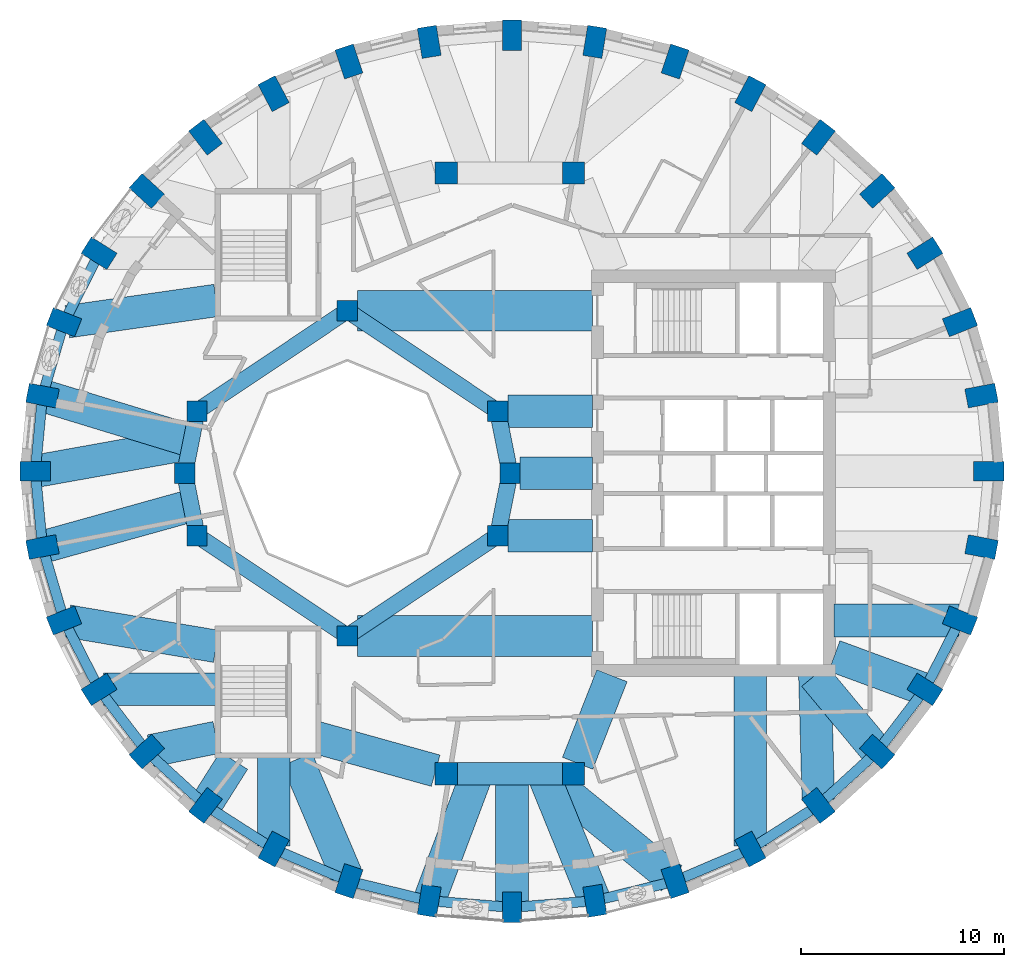
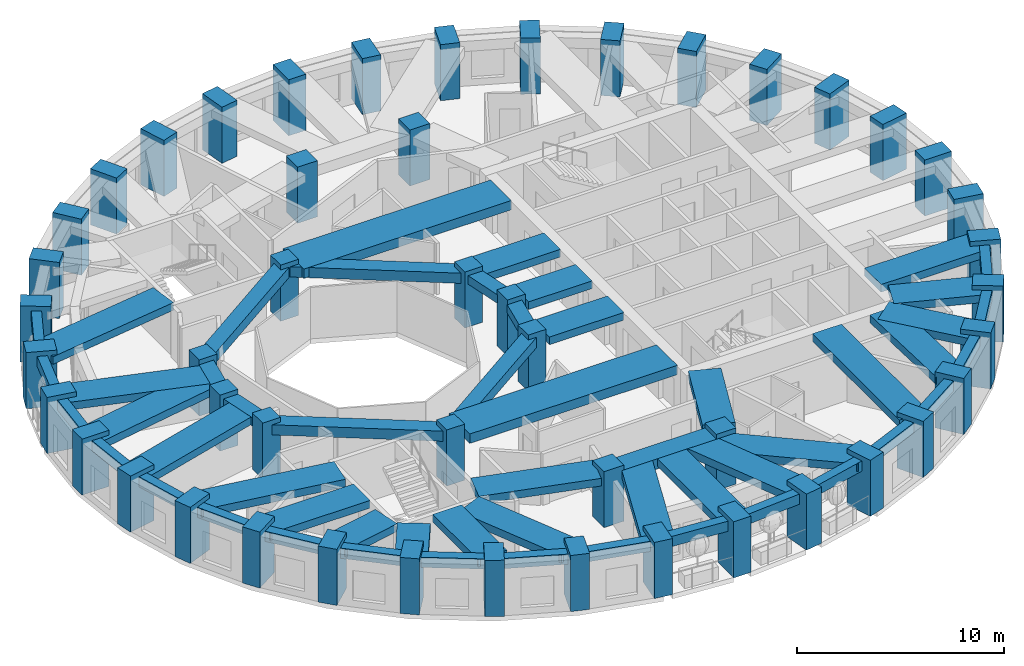
# One storey, part 1 of 11: 54 beams, 48 columns.
"""IFC4 building model written with IfcOpenShell, lengths in metres."""

from ifc_helpers import new_model, si_unit, direction, frame, origin, origin_2d, place, context, subcontext, project, spatial, rectangle, extrude, material, material_profile, profile_set, type_object, element, save


model = new_model("IFC4")

# Units and contexts
model_context = context("Model", 3, precision=1e-05, world=origin(), true_north=direction((0.0, 1.0)))
body_context = subcontext(model_context, "Body", "Model", "MODEL_VIEW")
ifc_project = project(units=[si_unit("LENGTHUNIT", "METRE"), si_unit("AREAUNIT", "SQUARE_METRE"), si_unit("VOLUMEUNIT", "CUBIC_METRE"), si_unit("PLANEANGLEUNIT", "RADIAN"), si_unit("MASSUNIT", "GRAM", prefix="KILO")], contexts=[model_context])

# Site, building, storey
site_placement = place(None, origin())
site = spatial("IfcSite", under=ifc_project, at=site_placement, CompositionType="ELEMENT")
building_placement = place(site_placement, origin())
building = spatial("IfcBuilding", under=site, at=building_placement, Name="Taillehof Tower", CompositionType="ELEMENT")
storey_placement = place(building_placement, frame((0.0, 0.0, 155.0)))
storey = spatial("IfcBuildingStorey", under=building, at=storey_placement, Name="L43", CompositionType="ELEMENT", Elevation=155.0)

# Columns
ifc_material_1 = material(Name="Concrete C50/60", Category="concrete")
ifc_material_profile_1 = material_profile(ifc_material_1, rectangle(XDim=1.0, YDim=1.0, at=origin_2d()), Name="RC 1000x1000")
ifc_profile_set_1 = profile_set([ifc_material_profile_1], Name="Concrete C50/60")
column_type_1 = type_object("IfcColumnType", Name="Atrium ring column C50/60 1000x1000", PredefinedType="COLUMN", material=ifc_profile_set_1)
for number, where, z_axis, x_axis, name in (
    (1, (0.0, 0.0, 0.0), (0.0, 0.0, 1.0), (1.0, 0.0, 0.0), "Column AC01"),
    (2, (-0.60888671875, 3.0615234375, 0.0), (0.0, 0.0, 1.0), (1.0, 0.0, 0.0), "Column AC02"),
    (3, (-8.0, 8.0, 0.0), (0.0, 0.0, 1.0), (1.0, 0.0, 0.0), "Column AC05"),
    (4, (-15.39111328125, 3.0615234375, 0.0), (0.0, 0.0, 1.0), (1.0, 0.0, 0.0), "Column AC08"),
    (5, (-16.0, 0.0, 0.0), (0.0, 0.0, 1.0), (1.0, 0.0, 0.0), "Column AC09"),
    (6, (-15.39111328125, -3.0615234375, 0.0), (0.0, 0.0, 1.0), (1.0, 0.0, 0.0), "Column AC10"),
    (7, (-8.0, -8.0, 0.0), (0.0, 0.0, 1.0), (1.0, 0.0, 0.0), "Column AC13"),
    (8, (-0.60888671875, -3.0615234375, 0.0), (0.0, 0.0, 1.0), (1.0, 0.0, 0.0), "Column AC16"),
):
    element("IfcColumn", number, at=place(storey_placement, frame(where, z_axis=z_axis, x_axis=x_axis)), inside=storey, type_object=column_type_1, Name=name, PredefinedType="COLUMN", context=body_context, shape_type="SweptSolid", body=[
        extrude(rectangle(XDim=1.0, YDim=1.0, at=origin_2d()), origin(), (0.0, 0.0, 1.0), 3.300048828125),
    ])
ifc_material_2 = material(Name="Concrete C50/60", Category="concrete")
ifc_material_profile_2 = material_profile(ifc_material_2, rectangle(XDim=1.10009765625, YDim=1.10009765625, at=origin_2d()), Name="RC 1100x1100")
ifc_profile_set_2 = profile_set([ifc_material_profile_2], Name="Concrete C50/60")
column_type_2 = type_object("IfcColumnType", Name="Mid-ring column C50/60 1100x1100", PredefinedType="COLUMN", material=ifc_profile_set_2)
for number, where, z_axis, x_axis, name in (
    (9, (3.125732421875, 14.772216796875, 0.0), (0.0, 0.0, 1.0), (1.0, 0.0, 0.0), "Column MC05"),
    (10, (-3.125732421875, 14.772216796875, 0.0), (0.0, 0.0, 1.0), (1.0, 0.0, 0.0), "Column MC06"),
    (11, (-3.125732421875, -14.772216796875, 0.0), (0.0, 0.0, 1.0), (1.0, 0.0, 0.0), "Column MC14"),
    (12, (3.125732421875, -14.772216796875, 0.0), (0.0, 0.0, 1.0), (1.0, 0.0, 0.0), "Column MC15"),
):
    element("IfcColumn", number, at=place(storey_placement, frame(where, z_axis=z_axis, x_axis=x_axis)), inside=storey, type_object=column_type_2, Name=name, PredefinedType="COLUMN", context=body_context, shape_type="SweptSolid", body=[
        extrude(rectangle(XDim=1.10009765625, YDim=1.10009765625, at=origin_2d()), origin(), (0.0, 0.0, 1.0), 3.300048828125),
    ])
ifc_material_3 = material(Name="Concrete C60/75", Category="concrete")
ifc_material_profile_3 = material_profile(ifc_material_3, rectangle(XDim=1.5, YDim=0.949951171875, at=origin_2d()), Name="RC 1500x950")
ifc_profile_set_3 = profile_set([ifc_material_profile_3], Name="Concrete C60/75")
column_type_3 = type_object("IfcColumnType", Name="Ring column C60/75 1500x950", PredefinedType="COLUMN", material=ifc_profile_set_3)
for number, where, z_axis, x_axis, name in (
    (13, (23.550048828125, 0.10009765625, 0.0), (0.0, 0.0, 1.0), (1.0, 0.0, 0.0), "Ring column RC01"),
    (14, (23.19384765625, 3.82470703125, 0.0), (0.0, 0.0, 1.0), (0.98202380309, 0.188757119508, 0.0), "Ring column RC02"),
    (15, (22.1357421875, 7.436279296875, 0.0), (0.0, 0.0, 1.0), (0.929511471762, 0.368793199317, 0.0), "Ring column RC03"),
    (16, (20.408203125, 10.824951171875, 0.0), (0.0, 0.0, 1.0), (0.846334224225, 0.532652213837, 0.0), "Ring column RC04"),
    (17, (18.063720703125, 13.8876953125, 0.0), (0.0, 0.0, 1.0), (0.7378786352, 0.674933418727, 0.0), "Ring column RC05"),
    (18, (15.17333984375, 16.53173828125, 0.0), (0.0, 0.0, 1.0), (0.609970500644, 0.792424121506, 0.0), "Ring column RC06"),
    (19, (11.824951171875, 18.67626953125, 0.0), (0.0, 0.0, 1.0), (0.468042101717, 0.883706167807, 0.0), "Ring column RC07"),
    (20, (8.120361328125, 20.25634765625, 0.0), (0.0, 0.0, 1.0), (0.316702950283, 0.948524771043, 0.0), "Ring column RC08"),
    (21, (4.172119140625, 21.22412109375, 0.0), (0.0, 0.0, 1.0), (0.159679090777, 0.987168976401, 0.0), "Ring column RC09"),
    (22, (0.10009765625, 21.550048828125, 0.0), (0.0, 0.0, 1.0), (0.0, 1.0, 0.0), "Ring column RC10"),
    (23, (-3.97216796875, 21.22412109375, 0.0), (0.0, 0.0, 1.0), (-0.159679090777, 0.987168976401, 0.0), "Ring column RC11"),
    (24, (-7.92041015625, 20.25634765625, 0.0), (0.0, 0.0, 1.0), (-0.316702950283, 0.948524771043, 0.0), "Ring column RC12"),
    (25, (-11.625, 18.67626953125, 0.0), (0.0, 0.0, 1.0), (-0.468042101717, 0.883706167807, 0.0), "Ring column RC13"),
    (26, (-14.973388671875, 16.53173828125, 0.0), (0.0, 0.0, 1.0), (-0.609970500644, 0.792424121506, 0.0), "Ring column RC14"),
    (27, (-17.86376953125, 13.8876953125, 0.0), (0.0, 0.0, 1.0), (-0.7378786352, 0.674933418727, 0.0), "Ring column RC15"),
    (28, (-20.208251953125, 10.824951171875, 0.0), (0.0, 0.0, 1.0), (-0.846334224225, 0.532652213837, 0.0), "Ring column RC16"),
    (29, (-21.935791015625, 7.436279296875, 0.0), (0.0, 0.0, 1.0), (-0.929511471762, 0.368793199317, 0.0), "Ring column RC17"),
    (30, (-22.99365234375, 3.82470703125, 0.0), (0.0, 0.0, 1.0), (-0.98202380309, 0.188757119508, 0.0), "Ring column RC18"),
    (31, (-23.35009765625, 0.10009765625, 0.0), (0.0, 0.0, 1.0), (-1.0, 0.0, 0.0), "Ring column RC19"),
    (32, (-22.99365234375, -3.624755859375, 0.0), (0.0, 0.0, 1.0), (-0.98202380309, -0.188757119508, 0.0), "Ring column RC20"),
    (33, (-21.935791015625, -7.236328125, 0.0), (0.0, 0.0, 1.0), (-0.929511471762, -0.368793199317, 0.0), "Ring column RC21"),
    (34, (-20.208251953125, -10.625, 0.0), (0.0, 0.0, 1.0), (-0.846334224225, -0.532652213837, 0.0), "Ring column RC22"),
    (35, (-17.86376953125, -13.687744140625, 0.0), (0.0, 0.0, 1.0), (-0.7378786352, -0.674933418727, 0.0), "Ring column RC23"),
    (36, (-14.973388671875, -16.33154296875, 0.0), (0.0, 0.0, 1.0), (-0.609970500644, -0.792424121506, 0.0), "Ring column RC24"),
    (37, (-11.625, -18.476318359375, 0.0), (0.0, 0.0, 1.0), (-0.468042101717, -0.883706167807, 0.0), "Ring column RC25"),
    (38, (-7.92041015625, -20.056396484375, 0.0), (0.0, 0.0, 1.0), (-0.316702950283, -0.948524771043, 0.0), "Ring column RC26"),
    (39, (-3.97216796875, -21.024169921875, 0.0), (0.0, 0.0, 1.0), (-0.159679090777, -0.987168976401, 0.0), "Ring column RC27"),
    (40, (0.10009765625, -21.35009765625, 0.0), (0.0, 0.0, 1.0), (0.0, -1.0, 0.0), "Ring column RC28"),
    (41, (4.172119140625, -21.024169921875, 0.0), (0.0, 0.0, 1.0), (0.159679090777, -0.987168976401, 0.0), "Ring column RC29"),
    (42, (8.120361328125, -20.056396484375, 0.0), (0.0, 0.0, 1.0), (0.316702950283, -0.948524771043, 0.0), "Ring column RC30"),
    (43, (11.824951171875, -18.476318359375, 0.0), (0.0, 0.0, 1.0), (0.468042101717, -0.883706167807, 0.0), "Ring column RC31"),
    (44, (15.17333984375, -16.33154296875, 0.0), (0.0, 0.0, 1.0), (0.609970500644, -0.792424121506, 0.0), "Ring column RC32"),
    (45, (18.063720703125, -13.687744140625, 0.0), (0.0, 0.0, 1.0), (0.7378786352, -0.674933418727, 0.0), "Ring column RC33"),
    (46, (20.408203125, -10.625, 0.0), (0.0, 0.0, 1.0), (0.846334224225, -0.532652213837, 0.0), "Ring column RC34"),
    (47, (22.1357421875, -7.236328125, 0.0), (0.0, 0.0, 1.0), (0.929511471762, -0.368793199317, 0.0), "Ring column RC35"),
    (48, (23.19384765625, -3.624755859375, 0.0), (0.0, 0.0, 1.0), (0.98202380309, -0.188757119508, 0.0), "Ring column RC36"),
):
    element("IfcColumn", number, at=place(storey_placement, frame(where, z_axis=z_axis, x_axis=x_axis)), inside=storey, type_object=column_type_3, Name=name, PredefinedType="COLUMN", context=body_context, shape_type="SweptSolid", body=[
        extrude(rectangle(XDim=1.5, YDim=0.949951171875, at=origin_2d()), origin(), (0.0, 0.0, 1.0), 3.300048828125),
    ])

# Beams
ifc_material_4 = material(Name="Concrete C50/60", Category="concrete")
ifc_material_profile_4 = material_profile(ifc_material_4, rectangle(XDim=0.800048828125, YDim=0.5, at=origin_2d()), Name="RC 800x500")
ifc_profile_set_4 = profile_set([ifc_material_profile_4], Name="Concrete C50/60")
beam_type_1 = type_object("IfcBeamType", Name="Atrium ring beam C50/60 800x500", PredefinedType="BEAM", material=ifc_profile_set_4)
for number, where, z_axis, x_axis, name in (
    (49, (0.0, 0.0, 2.77001953125), (-0.195063155143, 0.980790683839, 0.0), (-0.980790683839, -0.195063155143, 0.0), "Atrium ring beam AB01"),
    (50, (-15.39111328125, 3.0615234375, 2.77001953125), (-0.195063155143, -0.980790683839, 0.0), (0.980790683839, -0.195063155143, 0.0), "Atrium ring beam AB04"),
    (51, (-16.0, 0.0, 2.77001953125), (0.195063155143, -0.980790683839, 0.0), (0.980790683839, 0.195063155143, 0.0), "Atrium ring beam AB05"),
    (52, (-0.60888671875, -3.0615234375, 2.77001953125), (0.195063155143, 0.980790683839, 0.0), (-0.980790683839, 0.195063155143, 0.0), "Atrium ring beam AB08"),
):
    element("IfcBeam", number, at=place(storey_placement, frame(where, z_axis=z_axis, x_axis=x_axis)), inside=storey, type_object=beam_type_1, Name=name, PredefinedType="BEAM", context=body_context, shape_type="SweptSolid", body=[
        extrude(rectangle(XDim=0.800048828125, YDim=0.5, at=origin_2d()), origin(), (0.0, 0.0, 1.0), 3.12158203125),
    ])
ifc_material_5 = material(Name="Concrete C50/60", Category="concrete")
ifc_material_profile_5 = material_profile(ifc_material_5, rectangle(XDim=0.800048828125, YDim=0.60009765625, at=origin_2d()), Name="RC 800x600")
ifc_profile_set_5 = profile_set([ifc_material_profile_5], Name="Concrete C50/60")
beam_type_2 = type_object("IfcBeamType", Name="Atrium ring beam C50/60 800x600", PredefinedType="BEAM", material=ifc_profile_set_5)
for number, where, z_axis, x_axis, name in (
    (53, (-0.60888671875, 3.0615234375, 2.719970703125), (-0.831475195687, 0.555561876804, 0.0), (-0.555561876804, -0.831475195687, 0.0), "Atrium ring beam AB02"),
    (54, (-8.0, 8.0, 2.719970703125), (-0.831475195687, -0.555561876804, 0.0), (0.555561876804, -0.831475195687, 0.0), "Atrium ring beam AB03"),
    (55, (-15.39111328125, -3.0615234375, 2.719970703125), (0.831475195687, -0.555561876804, 0.0), (0.555561876804, 0.831475195687, 0.0), "Atrium ring beam AB06"),
    (56, (-8.0, -8.0, 2.719970703125), (0.831475195687, 0.555561876804, 0.0), (-0.555561876804, 0.831475195687, 0.0), "Atrium ring beam AB07"),
):
    element("IfcBeam", number, at=place(storey_placement, frame(where, z_axis=z_axis, x_axis=x_axis)), inside=storey, type_object=beam_type_2, Name=name, PredefinedType="BEAM", context=body_context, shape_type="SweptSolid", body=[
        extrude(rectangle(XDim=0.800048828125, YDim=0.60009765625, at=origin_2d()), origin(), (0.0, 0.0, 1.0), 8.88916015625),
    ])
ifc_material_6 = material(Name="Concrete C50/60", Category="concrete")
ifc_material_profile_6 = material_profile(ifc_material_6, rectangle(XDim=1.10009765625, YDim=0.60009765625, at=origin_2d()), Name="RC 1100x600")
ifc_profile_set_6 = profile_set([ifc_material_profile_6], Name="Concrete C50/60")
beam_type_3 = type_object("IfcBeamType", Name="Mid-ring beam C50/60 1100x600", PredefinedType="BEAM", material=ifc_profile_set_6)
beam_1_placement = place(storey_placement, frame((-3.125732421875, -14.772216796875, 2.719970703125), z_axis=(1.0, 0.0, 0.0), x_axis=(0.0, 1.0, 0.0)))
element("IfcBeam", 57, at=beam_1_placement, inside=storey, type_object=beam_type_3, Name="Mid-ring beam MB02", PredefinedType="BEAM", context=body_context, shape_type="SweptSolid", body=[
    extrude(rectangle(XDim=1.10009765625, YDim=0.60009765625, at=origin_2d()), origin(), (0.0, 0.0, 1.0), 6.25146484375),
])
ifc_material_7 = material(Name="Concrete C50/60", Category="concrete")
ifc_material_profile_7 = material_profile(ifc_material_7, rectangle(XDim=1.60009765625, YDim=0.449951171875, at=origin_2d()), Name="RC 1600x450")
ifc_profile_set_7 = profile_set([ifc_material_profile_7], Name="Concrete C50/60")
beam_type_4 = type_object("IfcBeamType", Name="Radial band beam C50/60 1600x450", PredefinedType="BEAM", material=ifc_profile_set_7)
beam_2_placement = place(storey_placement, frame((-21.766845703125, 7.46044921875, 2.794921875), z_axis=(0.989922388732, 0.141610961042, 0.0), x_axis=(-0.141610961042, 0.989922388732, 0.0)))
element("IfcBeam", 58, at=beam_2_placement, inside=storey, type_object=beam_type_4, Name="Radial band beam RB17", PredefinedType="BEAM", context=body_context, shape_type="SweptSolid", body=[
    extrude(rectangle(XDim=1.60009765625, YDim=0.449951171875, at=origin_2d()), origin(), (0.0, 0.0, 1.0), 7.390869140625),
])
beam_3_placement = place(storey_placement, frame((-22.99365234375, 3.82470703125, 2.794921875), z_axis=(0.956324293447, -0.292307792854, 0.0), x_axis=(0.292307792854, 0.956324293447, 0.0)))
element("IfcBeam", 59, at=beam_3_placement, inside=storey, type_object=beam_type_4, Name="Radial band beam RB18", PredefinedType="BEAM", context=body_context, shape_type="SweptSolid", body=[
    extrude(rectangle(XDim=1.60009765625, YDim=0.449951171875, at=origin_2d()), origin(), (0.0, 0.0, 1.0), 7.643798828125),
])
beam_4_placement = place(storey_placement, frame((-23.35009765625, 0.10009765625, 2.794921875), z_axis=(0.984286763882, 0.176577366745, 0.0), x_axis=(-0.176577366745, 0.984286763882, 0.0)))
element("IfcBeam", 60, at=beam_4_placement, inside=storey, type_object=beam_type_4, Name="Radial band beam RB19", PredefinedType="BEAM", context=body_context, shape_type="SweptSolid", body=[
    extrude(rectangle(XDim=1.60009765625, YDim=0.449951171875, at=origin_2d()), origin(), (0.0, 0.0, 1.0), 7.764892578125),
])
beam_5_placement = place(storey_placement, frame((-22.99365234375, -3.624755859375, 2.794921875), z_axis=(0.96338688135, 0.268115118639, 0.0), x_axis=(-0.268115118639, 0.96338688135, 0.0)))
element("IfcBeam", 61, at=beam_5_placement, inside=storey, type_object=beam_type_4, Name="Radial band beam RB20", PredefinedType="BEAM", context=body_context, shape_type="SweptSolid", body=[
    extrude(rectangle(XDim=1.60009765625, YDim=0.449951171875, at=origin_2d()), origin(), (0.0, 0.0, 1.0), 7.587890625),
])
beam_6_placement = place(storey_placement, frame((-21.744140625, -7.268798828125, 2.794921875), z_axis=(0.985864460395, -0.167544817079, 0.0), x_axis=(0.167544817079, 0.985864460395, 0.0)))
element("IfcBeam", 62, at=beam_6_placement, inside=storey, type_object=beam_type_4, Name="Radial band beam RB21", PredefinedType="BEAM", context=body_context, shape_type="SweptSolid", body=[
    extrude(rectangle(XDim=1.60009765625, YDim=0.449951171875, at=origin_2d()), origin(), (0.0, 0.0, 1.0), 7.39794921875),
])
beam_7_placement = place(storey_placement, frame((-19.9990234375, -10.625, 2.794921875), z_axis=(1.0, 0.0, 0.0), x_axis=(0.0, 1.0, 0.0)))
element("IfcBeam", 63, at=beam_7_placement, inside=storey, type_object=beam_type_4, Name="Radial band beam RB22", PredefinedType="BEAM", context=body_context, shape_type="SweptSolid", body=[
    extrude(rectangle(XDim=1.60009765625, YDim=0.449951171875, at=origin_2d()), origin(), (0.0, 0.0, 1.0), 5.549072265625),
])
beam_8_placement = place(storey_placement, frame((-17.678955078125, -13.64990234375, 2.794921875), z_axis=(0.979736748385, 0.200289550059, 0.0), x_axis=(-0.200289550059, 0.979736748385, 0.0)))
element("IfcBeam", 64, at=beam_8_placement, inside=storey, type_object=beam_type_4, Name="Radial band beam RB23", PredefinedType="BEAM", context=body_context, shape_type="SweptSolid", body=[
    extrude(rectangle(XDim=1.60009765625, YDim=0.449951171875, at=origin_2d()), origin(), (0.0, 0.0, 1.0), 3.294677734375),
])
beam_9_placement = place(storey_placement, frame((-14.973388671875, -16.33154296875, 2.794921875), z_axis=(0.534207803896, 0.845353193794, 0.0), x_axis=(-0.845353193794, 0.534207803896, 0.0)))
element("IfcBeam", 65, at=beam_9_placement, inside=storey, type_object=beam_type_4, Name="Radial band beam RB24", PredefinedType="BEAM", context=body_context, shape_type="SweptSolid", body=[
    extrude(rectangle(XDim=1.60009765625, YDim=0.449951171875, at=origin_2d()), origin(), (0.0, 0.0, 1.0), 2.608154296875),
])
beam_10_placement = place(storey_placement, frame((-11.625, -18.33642578125, 2.794921875), z_axis=(0.0, 1.0, 0.0), x_axis=(-1.0, 0.0, 0.0)))
element("IfcBeam", 66, at=beam_10_placement, inside=storey, type_object=beam_type_4, Name="Radial band beam RB25", PredefinedType="BEAM", context=body_context, shape_type="SweptSolid", body=[
    extrude(rectangle(XDim=1.60009765625, YDim=0.449951171875, at=origin_2d()), origin(), (0.0, 0.0, 1.0), 4.386474609375),
])
beam_11_placement = place(storey_placement, frame((-8.049072265625, -19.75390625, 2.794921875), z_axis=(-0.391879389257, 0.9200166, 0.0), x_axis=(-0.9200166, -0.391879389257, 0.0)))
element("IfcBeam", 67, at=beam_11_placement, inside=storey, type_object=beam_type_4, Name="Radial band beam RB26", PredefinedType="BEAM", context=body_context, shape_type="SweptSolid", body=[
    extrude(rectangle(XDim=1.60009765625, YDim=0.449951171875, at=origin_2d()), origin(), (0.0, 0.0, 1.0), 6.18505859375),
])
beam_12_placement = place(storey_placement, frame((-3.97216796875, -21.024169921875, 2.794921875), z_axis=(0.351379850477, 0.936232984186, 0.0), x_axis=(-0.936232984186, 0.351379850477, 0.0)))
element("IfcBeam", 68, at=beam_12_placement, inside=storey, type_object=beam_type_4, Name="Radial band beam RB27", PredefinedType="BEAM", context=body_context, shape_type="SweptSolid", body=[
    extrude(rectangle(XDim=1.60009765625, YDim=0.449951171875, at=origin_2d()), origin(), (0.0, 0.0, 1.0), 6.677734375),
])
beam_13_placement = place(storey_placement, frame((0.10009765625, -21.35009765625, 2.794921875), z_axis=(0.0, 1.0, 0.0), x_axis=(-1.0, 0.0, 0.0)))
element("IfcBeam", 69, at=beam_13_placement, inside=storey, type_object=beam_type_4, Name="Radial band beam RB28", PredefinedType="BEAM", context=body_context, shape_type="SweptSolid", body=[
    extrude(rectangle(XDim=1.60009765625, YDim=0.449951171875, at=origin_2d()), origin(), (0.0, 0.0, 1.0), 6.577880859375),
])
beam_14_placement = place(storey_placement, frame((4.172119140625, -21.024169921875, 2.794921875), z_axis=(-0.377207279938, 0.926128861424, 0.0), x_axis=(-0.926128861424, -0.377207279938, 0.0)))
element("IfcBeam", 70, at=beam_14_placement, inside=storey, type_object=beam_type_4, Name="Radial band beam RB29", PredefinedType="BEAM", context=body_context, shape_type="SweptSolid", body=[
    extrude(rectangle(XDim=1.60009765625, YDim=0.449951171875, at=origin_2d()), origin(), (0.0, 0.0, 1.0), 6.750732421875),
])
beam_15_placement = place(storey_placement, frame((7.95556640625, -19.92236328125, 2.794921875), z_axis=(-0.775687012842, 0.631117784655, 0.0), x_axis=(-0.631117784655, -0.775687012842, 0.0)))
element("IfcBeam", 71, at=beam_15_placement, inside=storey, type_object=beam_type_4, Name="Radial band beam RB30", PredefinedType="BEAM", context=body_context, shape_type="SweptSolid", body=[
    extrude(rectangle(XDim=1.60009765625, YDim=0.449951171875, at=origin_2d()), origin(), (0.0, 0.0, 1.0), 8.048583984375),
])
beam_16_placement = place(storey_placement, frame((11.824951171875, -18.33642578125, 2.794921875), z_axis=(0.0, 1.0, 0.0), x_axis=(-1.0, 0.0, 0.0)))
element("IfcBeam", 72, at=beam_16_placement, inside=storey, type_object=beam_type_4, Name="Radial band beam RB31", PredefinedType="BEAM", context=body_context, shape_type="SweptSolid", body=[
    extrude(rectangle(XDim=1.60009765625, YDim=0.449951171875, at=origin_2d()), origin(), (0.0, 0.0, 1.0), 8.386474609375),
])
beam_17_placement = place(storey_placement, frame((15.166015625, -16.060546875, 2.794921875), z_axis=(-0.027397917621, 0.999624606595, 0.0), x_axis=(-0.999624606595, -0.027397917621, 0.0)))
element("IfcBeam", 73, at=beam_17_placement, inside=storey, type_object=beam_type_4, Name="Radial band beam RB32", PredefinedType="BEAM", context=body_context, shape_type="SweptSolid", body=[
    extrude(rectangle(XDim=1.60009765625, YDim=0.449951171875, at=origin_2d()), origin(), (0.0, 0.0, 1.0), 6.11279296875),
])
beam_18_placement = place(storey_placement, frame((18.063720703125, -13.687744140625, 2.794921875), z_axis=(-0.639018777093, 0.769191135234, 0.0), x_axis=(-0.769191135234, -0.639018777093, 0.0)))
element("IfcBeam", 74, at=beam_18_placement, inside=storey, type_object=beam_type_4, Name="Radial band beam RB33", PredefinedType="BEAM", context=body_context, shape_type="SweptSolid", body=[
    extrude(rectangle(XDim=1.60009765625, YDim=0.449951171875, at=origin_2d()), origin(), (0.0, 0.0, 1.0), 4.844482421875),
])
beam_19_placement = place(storey_placement, frame((20.408203125, -10.625, 2.794921875), z_axis=(-0.938275503033, 0.345888826661, 0.0), x_axis=(-0.345888826661, -0.938275503033, 0.0)))
element("IfcBeam", 75, at=beam_19_placement, inside=storey, type_object=beam_type_4, Name="Radial band beam RB34", PredefinedType="BEAM", context=body_context, shape_type="SweptSolid", body=[
    extrude(rectangle(XDim=1.60009765625, YDim=0.449951171875, at=origin_2d()), origin(), (0.0, 0.0, 1.0), 4.748046875),
])
beam_20_placement = place(storey_placement, frame((22.08642578125, -7.236328125, 2.794921875), z_axis=(-1.0, 0.0, 0.0), x_axis=(0.0, -1.0, 0.0)))
element("IfcBeam", 76, at=beam_20_placement, inside=storey, type_object=beam_type_4, Name="Radial band beam RB35", PredefinedType="BEAM", context=body_context, shape_type="SweptSolid", body=[
    extrude(rectangle(XDim=1.60009765625, YDim=0.449951171875, at=origin_2d()), origin(), (0.0, 0.0, 1.0), 6.136474609375),
])
beam_21_placement = place(storey_placement, frame((0.5, 0.0, 2.794921875), z_axis=(1.0, 0.0, 0.0), x_axis=(0.0, 1.0, 0.0)))
element("IfcBeam", 77, at=beam_21_placement, inside=storey, type_object=beam_type_4, Name="Inner band beam IB101", PredefinedType="BEAM", context=body_context, shape_type="SweptSolid", body=[
    extrude(rectangle(XDim=1.60009765625, YDim=0.449951171875, at=origin_2d()), origin(), (0.0, 0.0, 1.0), 3.550048828125),
])
for number, where, z_axis, x_axis, name in (
    (78, (-0.10888671875, 3.0615234375, 2.794921875), (1.0, 0.0, 0.0), (0.0, 1.0, 0.0), "Inner band beam IB102"),
    (79, (-0.10888671875, -3.0615234375, 2.794921875), (1.0, 0.0, 0.0), (0.0, 1.0, 0.0), "Inner band beam IB116"),
):
    element("IfcBeam", number, at=place(storey_placement, frame(where, z_axis=z_axis, x_axis=x_axis)), inside=storey, type_object=beam_type_4, Name=name, PredefinedType="BEAM", context=body_context, shape_type="SweptSolid", body=[
        extrude(rectangle(XDim=1.60009765625, YDim=0.449951171875, at=origin_2d()), origin(), (0.0, 0.0, 1.0), 4.158935546875),
    ])
beam_22_placement = place(storey_placement, frame((-3.655517578125, -14.624755859375, 2.794921875), z_axis=(-0.963459369536, 0.267854518821, 0.0), x_axis=(-0.267854518821, -0.963459369536, 0.0)))
element("IfcBeam", 80, at=beam_22_placement, inside=storey, type_object=beam_type_4, Name="Inner band beam IB214", PredefinedType="BEAM", context=body_context, shape_type="SweptSolid", body=[
    extrude(rectangle(XDim=1.60009765625, YDim=0.449951171875, at=origin_2d()), origin(), (0.0, 0.0, 1.0), 6.096923828125),
])
beam_23_placement = place(storey_placement, frame((3.32666015625, -14.26025390625, 2.794921875), z_axis=(0.365588707223, 0.930776502255, 0.0), x_axis=(-0.930776502255, 0.365588707223, 0.0)))
element("IfcBeam", 81, at=beam_23_placement, inside=storey, type_object=beam_type_4, Name="Inner band beam IB215", PredefinedType="BEAM", context=body_context, shape_type="SweptSolid", body=[
    extrude(rectangle(XDim=1.60009765625, YDim=0.449951171875, at=origin_2d()), origin(), (0.0, 0.0, 1.0), 4.627197265625),
])
ifc_material_8 = material(Name="Concrete C50/60", Category="concrete")
ifc_material_profile_8 = material_profile(ifc_material_8, rectangle(XDim=2.0, YDim=0.550048828125, at=origin_2d()), Name="RC 2000x550")
ifc_profile_set_8 = profile_set([ifc_material_profile_8], Name="Concrete C50/60")
beam_type_5 = type_object("IfcBeamType", Name="Radial band beam C50/60 2000x550", PredefinedType="BEAM", material=ifc_profile_set_8)
for number, where, z_axis, x_axis, name in (
    (82, (-7.5, 8.0, 2.7451171875), (1.0, 0.0, 0.0), (0.0, 1.0, 0.0), "Inner band beam IB105"),
    (83, (-7.5, -8.0, 2.7451171875), (1.0, 0.0, 0.0), (0.0, 1.0, 0.0), "Inner band beam IB113"),
):
    element("IfcBeam", number, at=place(storey_placement, frame(where, z_axis=z_axis, x_axis=x_axis)), inside=storey, type_object=beam_type_5, Name=name, PredefinedType="BEAM", context=body_context, shape_type="SweptSolid", body=[
        extrude(rectangle(XDim=2.0, YDim=0.550048828125, at=origin_2d()), origin(), (0.0, 0.0, 1.0), 11.550048828125),
    ])
ifc_material_9 = material(Name="Concrete C50/60", Category="concrete")
ifc_material_profile_9 = material_profile(ifc_material_9, rectangle(XDim=0.5, YDim=0.60009765625, at=origin_2d()), Name="RC 500x600")
ifc_profile_set_9 = profile_set([ifc_material_profile_9], Name="Concrete C50/60")
beam_type_6 = type_object("IfcBeamType", Name="Spandrel beam C50/60 500x600", PredefinedType="SPANDREL", material=ifc_profile_set_9)
beam_24_placement = place(storey_placement, frame((-20.208251953125, 10.824951171875, 2.719970703125), z_axis=(-0.454183451696, -0.890908183937, 0.0), x_axis=(0.890908183937, -0.454183451696, 0.0)))
element("IfcBeam", 84, at=beam_24_placement, inside=storey, type_object=beam_type_6, Name="Spandrel beam SB16", PredefinedType="SPANDREL", context=body_context, shape_type="SweptSolid", body=[
    extrude(rectangle(XDim=0.5, YDim=0.60009765625, at=origin_2d()), origin(), (0.0, 0.0, 1.0), 3.8037109375),
])
beam_25_placement = place(storey_placement, frame((-21.935791015625, 7.436279296875, 2.719970703125), z_axis=(-0.281098416478, -0.959678946447, 0.0), x_axis=(0.959678946447, -0.281098416478, 0.0)))
element("IfcBeam", 85, at=beam_25_placement, inside=storey, type_object=beam_type_6, Name="Spandrel beam SB17", PredefinedType="SPANDREL", context=body_context, shape_type="SweptSolid", body=[
    extrude(rectangle(XDim=0.5, YDim=0.60009765625, at=origin_2d()), origin(), (0.0, 0.0, 1.0), 3.763427734375),
])
beam_26_placement = place(storey_placement, frame((-22.99365234375, 3.82470703125, 2.719970703125), z_axis=(-0.095264805358, -0.995451966124, 0.0), x_axis=(0.995451966124, -0.095264805358, 0.0)))
element("IfcBeam", 86, at=beam_26_placement, inside=storey, type_object=beam_type_6, Name="Spandrel beam SB18", PredefinedType="SPANDREL", context=body_context, shape_type="SweptSolid", body=[
    extrude(rectangle(XDim=0.5, YDim=0.60009765625, at=origin_2d()), origin(), (0.0, 0.0, 1.0), 3.74169921875),
])
beam_27_placement = place(storey_placement, frame((-23.35009765625, 0.10009765625, 2.719970703125), z_axis=(0.095258618013, -0.995452558234, 0.0), x_axis=(0.995452558234, 0.095258618013, 0.0)))
element("IfcBeam", 87, at=beam_27_placement, inside=storey, type_object=beam_type_6, Name="Spandrel beam SB19", PredefinedType="SPANDREL", context=body_context, shape_type="SweptSolid", body=[
    extrude(rectangle(XDim=0.5, YDim=0.60009765625, at=origin_2d()), origin(), (0.0, 0.0, 1.0), 3.741943359375),
])
beam_28_placement = place(storey_placement, frame((-22.99365234375, -3.624755859375, 2.719970703125), z_axis=(0.281098416478, -0.959678946447, 0.0), x_axis=(0.959678946447, 0.281098416478, 0.0)))
element("IfcBeam", 88, at=beam_28_placement, inside=storey, type_object=beam_type_6, Name="Spandrel beam SB20", PredefinedType="SPANDREL", context=body_context, shape_type="SweptSolid", body=[
    extrude(rectangle(XDim=0.5, YDim=0.60009765625, at=origin_2d()), origin(), (0.0, 0.0, 1.0), 3.763427734375),
])
beam_29_placement = place(storey_placement, frame((-21.935791015625, -7.236328125, 2.719970703125), z_axis=(0.454183451696, -0.890908183937, 0.0), x_axis=(0.890908183937, 0.454183451696, 0.0)))
element("IfcBeam", 89, at=beam_29_placement, inside=storey, type_object=beam_type_6, Name="Spandrel beam SB21", PredefinedType="SPANDREL", context=body_context, shape_type="SweptSolid", body=[
    extrude(rectangle(XDim=0.5, YDim=0.60009765625, at=origin_2d()), origin(), (0.0, 0.0, 1.0), 3.8037109375),
])
beam_30_placement = place(storey_placement, frame((-20.208251953125, -10.625, 2.719970703125), z_axis=(0.60784004271, -0.794059495553, 0.0), x_axis=(0.794059495553, 0.60784004271, 0.0)))
element("IfcBeam", 90, at=beam_30_placement, inside=storey, type_object=beam_type_6, Name="Spandrel beam SB22", PredefinedType="SPANDREL", context=body_context, shape_type="SweptSolid", body=[
    extrude(rectangle(XDim=0.5, YDim=0.60009765625, at=origin_2d()), origin(), (0.0, 0.0, 1.0), 3.857177734375),
])
beam_31_placement = place(storey_placement, frame((-17.86376953125, -13.687744140625, 2.719970703125), z_axis=(0.737880696592, -0.674931165081, 0.0), x_axis=(0.674931165081, 0.737880696592, 0.0)))
element("IfcBeam", 91, at=beam_31_placement, inside=storey, type_object=beam_type_6, Name="Spandrel beam SB23", PredefinedType="SPANDREL", context=body_context, shape_type="SweptSolid", body=[
    extrude(rectangle(XDim=0.5, YDim=0.60009765625, at=origin_2d()), origin(), (0.0, 0.0, 1.0), 3.917236328125),
])
beam_32_placement = place(storey_placement, frame((-14.973388671875, -16.33154296875, 2.719970703125), z_axis=(0.842065054946, -0.539375975771, 0.0), x_axis=(0.539375975771, 0.842065054946, 0.0)))
element("IfcBeam", 92, at=beam_32_placement, inside=storey, type_object=beam_type_6, Name="Spandrel beam SB24", PredefinedType="SPANDREL", context=body_context, shape_type="SweptSolid", body=[
    extrude(rectangle(XDim=0.5, YDim=0.60009765625, at=origin_2d()), origin(), (0.0, 0.0, 1.0), 3.976318359375),
])
beam_33_placement = place(storey_placement, frame((-11.625, -18.476318359375, 2.719970703125), z_axis=(0.919827173659, -0.392323808351, 0.0), x_axis=(0.392323808351, 0.919827173659, 0.0)))
element("IfcBeam", 93, at=beam_33_placement, inside=storey, type_object=beam_type_6, Name="Spandrel beam SB25", PredefinedType="SPANDREL", context=body_context, shape_type="SweptSolid", body=[
    extrude(rectangle(XDim=0.5, YDim=0.60009765625, at=origin_2d()), origin(), (0.0, 0.0, 1.0), 4.027587890625),
])
beam_34_placement = place(storey_placement, frame((-7.92041015625, -20.056396484375, 2.719970703125), z_axis=(0.971248584585, -0.238067610023, 0.0), x_axis=(0.238067610023, 0.971248584585, 0.0)))
element("IfcBeam", 94, at=beam_34_placement, inside=storey, type_object=beam_type_6, Name="Spandrel beam SB26", PredefinedType="SPANDREL", context=body_context, shape_type="SweptSolid", body=[
    extrude(rectangle(XDim=0.5, YDim=0.60009765625, at=origin_2d()), origin(), (0.0, 0.0, 1.0), 4.065185546875),
])
beam_35_placement = place(storey_placement, frame((-3.97216796875, -21.024169921875, 2.719970703125), z_axis=(0.996812427616, -0.079780850771, 0.0), x_axis=(0.079780850771, 0.996812427616, 0.0)))
element("IfcBeam", 95, at=beam_35_placement, inside=storey, type_object=beam_type_6, Name="Spandrel beam SB27", PredefinedType="SPANDREL", context=body_context, shape_type="SweptSolid", body=[
    extrude(rectangle(XDim=0.5, YDim=0.60009765625, at=origin_2d()), origin(), (0.0, 0.0, 1.0), 4.085205078125),
])
beam_36_placement = place(storey_placement, frame((0.10009765625, -21.35009765625, 2.719970703125), z_axis=(0.996812047205, 0.079785603634, 0.0), x_axis=(-0.079785603634, 0.996812047205, 0.0)))
element("IfcBeam", 96, at=beam_36_placement, inside=storey, type_object=beam_type_6, Name="Spandrel beam SB28", PredefinedType="SPANDREL", context=body_context, shape_type="SweptSolid", body=[
    extrude(rectangle(XDim=0.5, YDim=0.60009765625, at=origin_2d()), origin(), (0.0, 0.0, 1.0), 4.0849609375),
])
beam_37_placement = place(storey_placement, frame((4.172119140625, -21.024169921875, 2.719970703125), z_axis=(0.971248584585, 0.238067610023, 0.0), x_axis=(-0.238067610023, 0.971248584585, 0.0)))
element("IfcBeam", 97, at=beam_37_placement, inside=storey, type_object=beam_type_6, Name="Spandrel beam SB29", PredefinedType="SPANDREL", context=body_context, shape_type="SweptSolid", body=[
    extrude(rectangle(XDim=0.5, YDim=0.60009765625, at=origin_2d()), origin(), (0.0, 0.0, 1.0), 4.065185546875),
])
beam_38_placement = place(storey_placement, frame((8.120361328125, -20.056396484375, 2.719970703125), z_axis=(0.919827173659, 0.392323808351, 0.0), x_axis=(-0.392323808351, 0.919827173659, 0.0)))
element("IfcBeam", 98, at=beam_38_placement, inside=storey, type_object=beam_type_6, Name="Spandrel beam SB30", PredefinedType="SPANDREL", context=body_context, shape_type="SweptSolid", body=[
    extrude(rectangle(XDim=0.5, YDim=0.60009765625, at=origin_2d()), origin(), (0.0, 0.0, 1.0), 4.027587890625),
])
beam_39_placement = place(storey_placement, frame((11.824951171875, -18.476318359375, 2.719970703125), z_axis=(0.842065054946, 0.539375975771, 0.0), x_axis=(-0.539375975771, 0.842065054946, 0.0)))
element("IfcBeam", 99, at=beam_39_placement, inside=storey, type_object=beam_type_6, Name="Spandrel beam SB31", PredefinedType="SPANDREL", context=body_context, shape_type="SweptSolid", body=[
    extrude(rectangle(XDim=0.5, YDim=0.60009765625, at=origin_2d()), origin(), (0.0, 0.0, 1.0), 3.976318359375),
])
beam_40_placement = place(storey_placement, frame((15.17333984375, -16.33154296875, 2.719970703125), z_axis=(0.737880696592, 0.674931165081, 0.0), x_axis=(-0.674931165081, 0.737880696592, 0.0)))
element("IfcBeam", 100, at=beam_40_placement, inside=storey, type_object=beam_type_6, Name="Spandrel beam SB32", PredefinedType="SPANDREL", context=body_context, shape_type="SweptSolid", body=[
    extrude(rectangle(XDim=0.5, YDim=0.60009765625, at=origin_2d()), origin(), (0.0, 0.0, 1.0), 3.917236328125),
])
beam_41_placement = place(storey_placement, frame((18.063720703125, -13.687744140625, 2.719970703125), z_axis=(0.60784004271, 0.794059495553, 0.0), x_axis=(-0.794059495553, 0.60784004271, 0.0)))
element("IfcBeam", 101, at=beam_41_placement, inside=storey, type_object=beam_type_6, Name="Spandrel beam SB33", PredefinedType="SPANDREL", context=body_context, shape_type="SweptSolid", body=[
    extrude(rectangle(XDim=0.5, YDim=0.60009765625, at=origin_2d()), origin(), (0.0, 0.0, 1.0), 3.857177734375),
])
beam_42_placement = place(storey_placement, frame((20.408203125, -10.625, 2.719970703125), z_axis=(0.454183451696, 0.890908183937, 0.0), x_axis=(-0.890908183937, 0.454183451696, 0.0)))
element("IfcBeam", 102, at=beam_42_placement, inside=storey, type_object=beam_type_6, Name="Spandrel beam SB34", PredefinedType="SPANDREL", context=body_context, shape_type="SweptSolid", body=[
    extrude(rectangle(XDim=0.5, YDim=0.60009765625, at=origin_2d()), origin(), (0.0, 0.0, 1.0), 3.8037109375),
])

save(model, "model.ifc")
